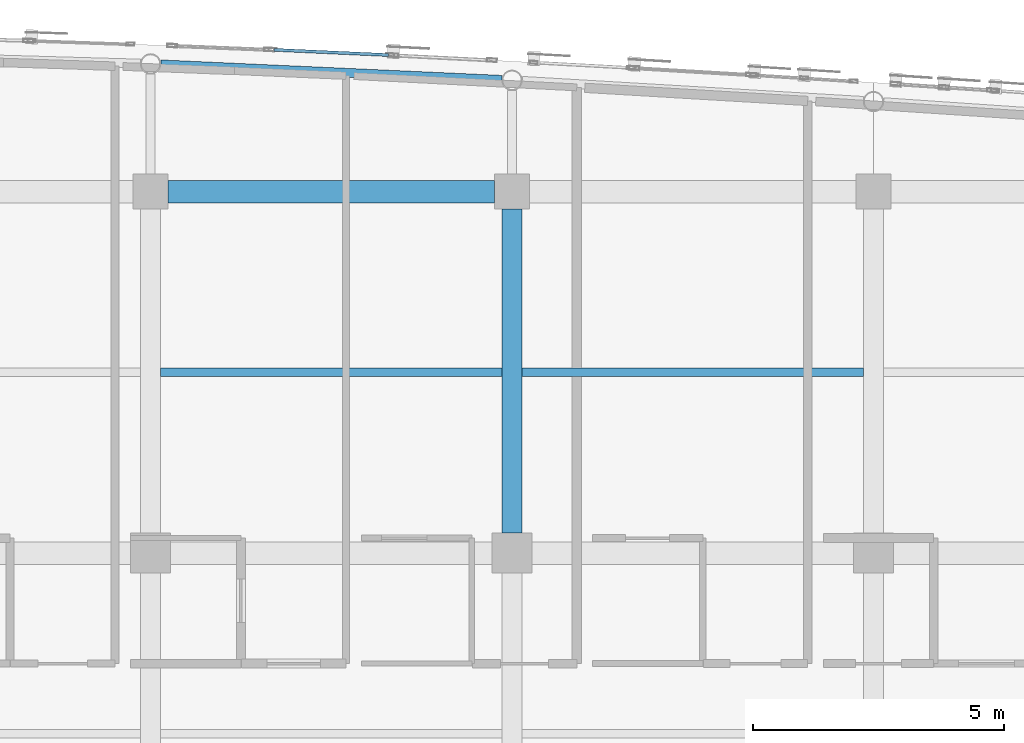
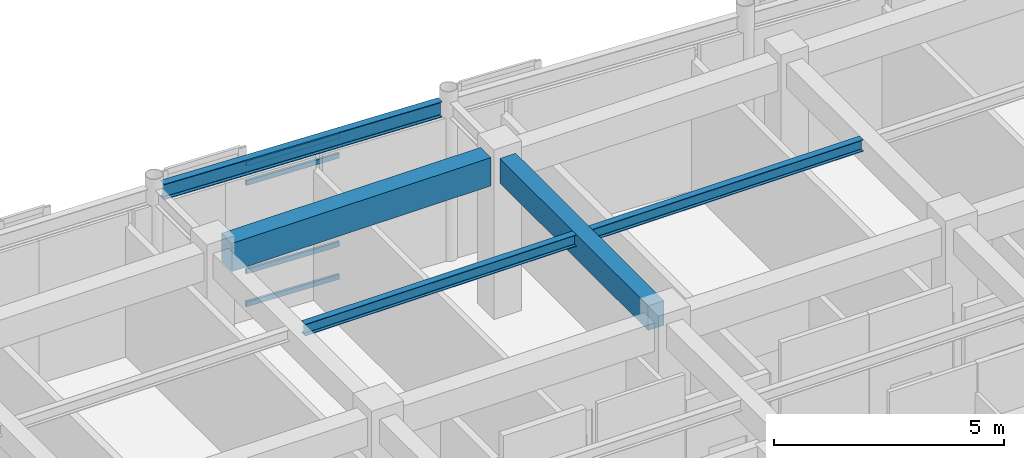
# One storey, part 42 of 106: 5 beams, 4 members, 1 element without a shape of its own.
"""IFC4 building model written with IfcOpenShell, lengths in metres."""

from ifc_helpers import new_model, si_unit, direction, frame, origin, origin_2d, place, context, subcontext, project, spatial, rectangle, hollow_rectangle, i_section, extrude, material, layer, layer_set, material_profile, profile_set, type_object, element, aggregate, save


model = new_model("IFC4")

# Units and contexts
model_context = context("Model", 3, precision=1e-05, world=origin(), true_north=direction((0.0, 1.0)))
body_context = subcontext(model_context, "Body", "Model", "MODEL_VIEW")
ifc_project = project(units=[si_unit("LENGTHUNIT", "METRE"), si_unit("AREAUNIT", "SQUARE_METRE"), si_unit("VOLUMEUNIT", "CUBIC_METRE"), si_unit("PLANEANGLEUNIT", "RADIAN"), si_unit("MASSUNIT", "GRAM", prefix="KILO")], contexts=[model_context])

# Site, building, storey
site_placement = place(None, origin())
site = spatial("IfcSite", under=ifc_project, at=site_placement, CompositionType="ELEMENT")
building_placement = place(site_placement, origin())
building = spatial("IfcBuilding", under=site, at=building_placement, Name="Carrowvane Square Congress Hotel", CompositionType="ELEMENT")
storey_placement = place(building_placement, frame((0.0, 0.0, 10.5)))
storey = spatial("IfcBuildingStorey", under=building, at=storey_placement, Name="L02", CompositionType="ELEMENT", Elevation=10.5)

# Beams
ifc_material_1 = material(Name="Concrete C35/45", Category="concrete")
ifc_material_profile_1 = material_profile(ifc_material_1, rectangle(XDim=0.39990234375, YDim=0.64990234375, at=origin_2d()), Name="RC 400x650")
ifc_profile_set_1 = profile_set([ifc_material_profile_1], Name="Concrete C35/45")
beam_type_1 = type_object("IfcBeamType", Name="BM-RC-400x650", PredefinedType="BEAM", material=ifc_profile_set_1)
beam_1_placement = place(storey_placement, frame((119.60009765625, 106.60009765625, 3.89501953125), z_axis=(0.0, 1.0, 0.0), x_axis=(-1.0, 0.0, 0.0)))
element("IfcBeam", 1, at=beam_1_placement, inside=storey, type_object=beam_type_1, Name="L03 girder 16/Q-R", PredefinedType="BEAM", context=body_context, shape_type="SweptSolid", body=[
    extrude(rectangle(XDim=0.39990234375, YDim=0.64990234375, at=origin_2d()), origin(), (0.0, 0.0, 1.0), 6.449951171875),
])
ifc_material_2 = material(Name="Concrete C35/45", Category="concrete")
ifc_material_profile_2 = material_profile(ifc_material_2, rectangle(XDim=0.449951171875, YDim=0.75, at=origin_2d()), Name="RC 450x750")
ifc_profile_set_2 = profile_set([ifc_material_profile_2], Name="Concrete C35/45")
beam_type_2 = type_object("IfcBeamType", Name="BM-RC-450x750", PredefinedType="USERDEFINED", material=ifc_profile_set_2)
beam_2_placement = place(storey_placement, frame((112.75, 113.39990234375, 3.844970703125), z_axis=(1.0, 0.0, 0.0), x_axis=(0.0, 1.0, 0.0)))
element("IfcBeam", 2, at=beam_2_placement, inside=storey, type_object=beam_type_2, Name="L03 girder R/15-16", ObjectType="GIRDER", PredefinedType="USERDEFINED", context=body_context, shape_type="SweptSolid", body=[
    extrude(rectangle(XDim=0.449951171875, YDim=0.75, at=origin_2d()), origin(), (0.0, 0.0, 1.0), 6.5),
])
ifc_material_3 = material(Name="Steel S355", Category="steel")
ifc_material_profile_3 = material_profile(ifc_material_3, i_section(OverallWidth=0.165771484375, OverallDepth=0.306640625, WebThickness=0.006591796875, FlangeThickness=0.01171875, FilletRadius=0.0087890625, at=origin_2d()), Name="UKB 305x165x46")
ifc_profile_set_3 = profile_set([ifc_material_profile_3], Name="Steel S355")
beam_type_3 = type_object("IfcBeamType", Name="BM-ST-UKB305", PredefinedType="JOIST", material=ifc_profile_set_3)
beam_3_placement = place(storey_placement, frame((112.60009765625, 109.800048828125, 4.066650390625), z_axis=(1.0, 0.0, 0.0), x_axis=(0.0, 1.0, 0.0)))
element("IfcBeam", 3, at=beam_3_placement, inside=storey, type_object=beam_type_3, Name="L03 secondary joist 15-16", PredefinedType="JOIST", context=body_context, shape_type="SweptSolid", body=[
    extrude(i_section(OverallWidth=0.165771484375, OverallDepth=0.306640625, WebThickness=0.006591796875, FlangeThickness=0.01171875, FilletRadius=0.0087890625, at=origin_2d()), origin(), (0.0, 0.0, 1.0), 6.7998046875),
])
beam_4_placement = place(storey_placement, frame((119.800048828125, 109.800048828125, 4.066650390625), z_axis=(1.0, 0.0, 0.0), x_axis=(0.0, 1.0, 0.0)))
element("IfcBeam", 4, at=beam_4_placement, inside=storey, type_object=beam_type_3, Name="L03 secondary joist 16-17", PredefinedType="JOIST", context=body_context, shape_type="SweptSolid", body=[
    extrude(i_section(OverallWidth=0.165771484375, OverallDepth=0.306640625, WebThickness=0.006591796875, FlangeThickness=0.01171875, FilletRadius=0.0087890625, at=origin_2d()), origin(), (0.0, 0.0, 1.0), 6.800048828125),
])
ifc_material_4 = material(Name="Steel S355", Category="steel")
ifc_material_profile_4 = material_profile(ifc_material_4, i_section(OverallWidth=0.1787109375, OverallDepth=0.409423828125, WebThickness=0.0087890625, FlangeThickness=0.014404296875, FilletRadius=0.01025390625, at=origin_2d()), Name="UKB 406x178x67")
ifc_profile_set_4 = profile_set([ifc_material_profile_4], Name="Steel S355")
beam_type_4 = type_object("IfcBeamType", Name="BM-ST-UKB406", PredefinedType="BEAM", material=ifc_profile_set_4)
beam_5_placement = place(storey_placement, frame((112.60302734375, 115.934814453125, 4.015380859375), z_axis=(0.998973271848, -0.045303445058, 0.0), x_axis=(0.045303445058, 0.998973271848, 0.0)))
element("IfcBeam", 5, at=beam_5_placement, inside=storey, type_object=beam_type_4, Name="L03 curved north spandrel", PredefinedType="BEAM", context=body_context, shape_type="SweptSolid", body=[
    extrude(i_section(OverallWidth=0.1787109375, OverallDepth=0.409423828125, WebThickness=0.0087890625, FlangeThickness=0.014404296875, FilletRadius=0.01025390625, at=origin_2d()), origin(), (0.0, 0.0, 1.0), 6.801025390625),
])

# Curtain wall, members
ifc_material_5 = material(Name="Anodised aluminium", Category="aluminium")
ifc_layer = layer(ifc_material_5, 0.18603515625)
ifc_layer_set = layer_set([ifc_layer], Name="Anodised aluminium")
curtain_wall_type = type_object("IfcCurtainWallType", Name="CW-SYS-3", PredefinedType="NOTDEFINED", material=ifc_layer_set)
curtain_wall_placement = place(storey_placement, origin())
curtain_wall = element("IfcCurtainWall", 6, at=curtain_wall_placement, inside=storey, type_object=curtain_wall_type, Name="L02 unitised curtain wall 162", PredefinedType="NOTDEFINED")
ifc_material_6 = material(Name="Anodised aluminium", Category="aluminium")
ifc_material_profile_5 = material_profile(ifc_material_6, hollow_rectangle(XDim=0.06005859375, YDim=0.1298828125, WallThickness=0.00390625, at=origin_2d()), Name="CW-TR 60x130x4")
ifc_profile_set_5 = profile_set([ifc_material_profile_5], Name="Anodised aluminium")
member_type = type_object("IfcMemberType", Name="CW-TRN-1", PredefinedType="USERDEFINED", material=ifc_profile_set_5)
member_1_placement = place(storey_placement, frame((114.85986328125, 116.224853515625, 0.030029296875), z_axis=(0.998971184853, -0.045349441368, 0.0), x_axis=(0.045349441368, 0.998971184853, 0.0)))
member_1 = element("IfcMember", 7, at=member_1_placement, type_object=member_type, Name="CW-3 transom 1.1", ObjectType="TRANSOM", PredefinedType="USERDEFINED", context=body_context, shape_type="SweptSolid", body=[
    extrude(hollow_rectangle(XDim=0.06005859375, YDim=0.1298828125, WallThickness=0.00390625, at=origin_2d()), origin(), (0.0, 0.0, 1.0), 2.28271484375),
])
member_2_placement = place(storey_placement, frame((114.85986328125, 116.224853515625, 0.89990234375), z_axis=(0.998971184853, -0.045349441368, 0.0), x_axis=(0.045349441368, 0.998971184853, 0.0)))
member_2 = element("IfcMember", 8, at=member_2_placement, type_object=member_type, Name="CW-3 transom 1.2", ObjectType="TRANSOM", PredefinedType="USERDEFINED", context=body_context, shape_type="SweptSolid", body=[
    extrude(hollow_rectangle(XDim=0.06005859375, YDim=0.1298828125, WallThickness=0.00390625, at=origin_2d()), origin(), (0.0, 0.0, 1.0), 2.28271484375),
])
member_3_placement = place(storey_placement, frame((114.85986328125, 116.224853515625, 3.24560546875), z_axis=(0.998971184853, -0.045349441368, 0.0), x_axis=(0.045349441368, 0.998971184853, 0.0)))
member_3 = element("IfcMember", 9, at=member_3_placement, type_object=member_type, Name="CW-3 transom 1.3", ObjectType="TRANSOM", PredefinedType="USERDEFINED", context=body_context, shape_type="SweptSolid", body=[
    extrude(hollow_rectangle(XDim=0.06005859375, YDim=0.1298828125, WallThickness=0.00390625, at=origin_2d()), origin(), (0.0, 0.0, 1.0), 2.28271484375),
])
member_4_placement = place(storey_placement, frame((114.85986328125, 116.224853515625, 3.765625), z_axis=(0.998971184853, -0.045349441368, 0.0), x_axis=(0.045349441368, 0.998971184853, 0.0)))
member_4 = element("IfcMember", 10, at=member_4_placement, type_object=member_type, Name="CW-3 transom 1.4", ObjectType="TRANSOM", PredefinedType="USERDEFINED", context=body_context, shape_type="SweptSolid", body=[
    extrude(hollow_rectangle(XDim=0.06005859375, YDim=0.1298828125, WallThickness=0.00390625, at=origin_2d()), origin(), (0.0, 0.0, 1.0), 2.28271484375),
])
aggregate(curtain_wall, [member_1, member_2, member_3, member_4])

save(model, "model.ifc")
